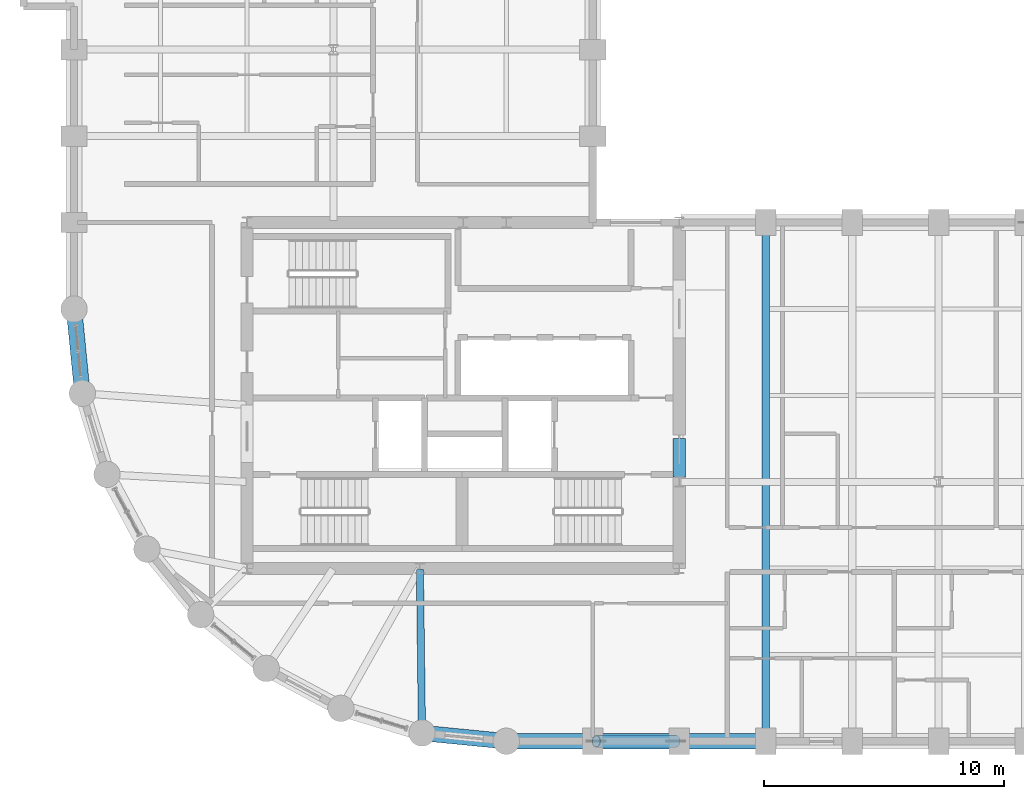
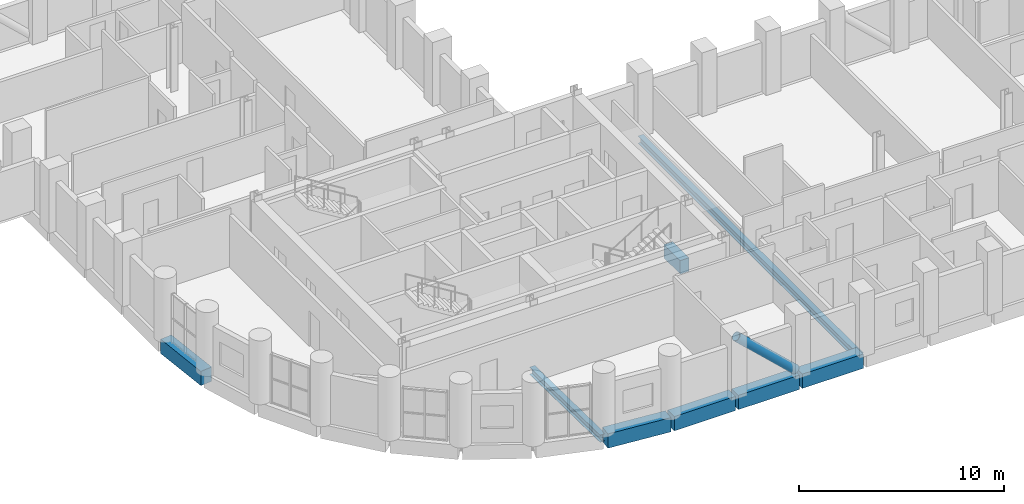
# One storey, part 4 of 13: 8 beams, 1 member.
"""IFC4 building model written with IfcOpenShell, lengths in metres."""

from ifc_helpers import new_model, si_unit, direction, frame, origin, origin_2d, place, context, subcontext, project, spatial, rectangle, hollow_circle, i_section, extrude, material, material_profile, profile_set, type_object, element, save


model = new_model("IFC4")

# Units and contexts
model_context = context("Model", 3, precision=1e-05, world=origin(), true_north=direction((0.0, 1.0)))
body_context = subcontext(model_context, "Body", "Model", "MODEL_VIEW")
ifc_project = project(units=[si_unit("LENGTHUNIT", "METRE"), si_unit("AREAUNIT", "SQUARE_METRE"), si_unit("VOLUMEUNIT", "CUBIC_METRE"), si_unit("PLANEANGLEUNIT", "RADIAN"), si_unit("MASSUNIT", "GRAM", prefix="KILO")], contexts=[model_context])

# Site, building, storey
site_placement = place(None, origin())
site = spatial("IfcSite", under=ifc_project, at=site_placement, CompositionType="ELEMENT")
building_placement = place(site_placement, origin())
building = spatial("IfcBuilding", under=site, at=building_placement, Name="Solnavia Interchange Tower", CompositionType="ELEMENT")
storey_placement = place(building_placement, frame((0.0, 0.0, 123.800048828125)))
storey = spatial("IfcBuildingStorey", under=building, at=storey_placement, Name="L30", CompositionType="ELEMENT", Elevation=123.800048828125)

# Beams
ifc_material_1 = material(Name="Concrete C50/60", Category="concrete")
ifc_material_profile_1 = material_profile(ifc_material_1, rectangle(XDim=0.5, YDim=0.800048828125, at=origin_2d()), Name="RC 500x800")
ifc_profile_set_1 = profile_set([ifc_material_profile_1], Name="Concrete C50/60")
beam_type_1 = type_object("IfcBeamType", Name="Beam-Coupling-RC500x800", PredefinedType="LINTEL", material=ifc_profile_set_1)
beam_1_placement = place(storey_placement, frame((32.39990234375, 14.60009765625, -0.400146484375), z_axis=(0.0, 1.0, 0.0), x_axis=(-1.0, 0.0, 0.0)))
element("IfcBeam", 1, at=beam_1_placement, inside=storey, type_object=beam_type_1, Name="CPB-L30-E1 Core coupling lintel beam", PredefinedType="LINTEL", context=body_context, shape_type="SweptSolid", body=[
    extrude(rectangle(XDim=0.5, YDim=0.800048828125, at=origin_2d()), origin(), (0.0, 0.0, 1.0), 1.599853515625),
])
ifc_material_2 = material(Name="Steel S460", Category="steel")
ifc_material_profile_2 = material_profile(ifc_material_2, i_section(OverallWidth=0.300048828125, OverallDepth=0.449951171875, WebThickness=0.013916015625, FlangeThickness=0.02587890625, FilletRadius=0.027099609375, at=origin_2d()), Name="HEB 450")
ifc_profile_set_2 = profile_set([ifc_material_profile_2], Name="Steel S460")
beam_type_2 = type_object("IfcBeamType", Name="Beam-Girder-HEB450", PredefinedType="BEAM", material=ifc_profile_set_2)
beam_2_placement = place(storey_placement, frame((36.0, 3.679931640625, -0.47509765625), z_axis=(0.0, 1.0, 0.0), x_axis=(-1.0, 0.0, 0.0)))
element("IfcBeam", 2, at=beam_2_placement, inside=storey, type_object=beam_type_2, Name="GRD-L30-EW04 East wing primary floor girder", PredefinedType="BEAM", context=body_context, shape_type="SweptSolid", body=[
    extrude(i_section(OverallWidth=0.300048828125, OverallDepth=0.449951171875, WebThickness=0.013916015625, FlangeThickness=0.02587890625, FilletRadius=0.027099609375, at=origin_2d()), origin(), (0.0, 0.0, 1.0), 21.440185546875),
])
ifc_material_3 = material(Name="Steel S355", Category="steel")
ifc_material_profile_3 = material_profile(ifc_material_3, i_section(OverallWidth=0.300048828125, OverallDepth=0.43994140625, WebThickness=0.011474609375, FlangeThickness=0.02099609375, FilletRadius=0.027099609375, at=origin_2d()), Name="HEA 450")
ifc_profile_set_3 = profile_set([ifc_material_profile_3], Name="Steel S355")
beam_type_3 = type_object("IfcBeamType", Name="Beam-Primary-HEA450", PredefinedType="BEAM", material=ifc_profile_set_3)
beam_3_placement = place(storey_placement, frame((21.68701171875, 4.02587890625, -0.469970703125), z_axis=(-0.01283293513, 0.999917654498, 0.0), x_axis=(-0.999917654498, -0.01283293513, 0.0)))
element("IfcBeam", 3, at=beam_3_placement, inside=storey, type_object=beam_type_3, Name="GRD-L30-DR26 Drum radial floor girder", PredefinedType="BEAM", context=body_context, shape_type="SweptSolid", body=[
    extrude(i_section(OverallWidth=0.300048828125, OverallDepth=0.43994140625, WebThickness=0.011474609375, FlangeThickness=0.02099609375, FilletRadius=0.027099609375, at=origin_2d()), origin(), (0.0, 0.0, 1.0), 6.734619140625),
])
ifc_material_profile_4 = material_profile(ifc_material_1, rectangle(XDim=0.64990234375, YDim=0.85009765625, at=origin_2d()), Name="RC 650x850")
ifc_profile_set_4 = profile_set([ifc_material_profile_4], Name="Concrete C50/60")
beam_type_4 = type_object("IfcBeamType", Name="Beam-Spandrel-RC650x850", PredefinedType="SPANDREL", material=ifc_profile_set_4)
beam_4_placement = place(storey_placement, frame((7.207763671875, 21.5205078125, -0.425048828125), z_axis=(0.098040038117, -0.995182471171, 0.0), x_axis=(0.995182471171, 0.098040038117, 0.0)))
element("IfcBeam", 4, at=beam_4_placement, inside=storey, type_object=beam_type_4, Name="SPB-L30-01 Framed-tube perimeter spandrel beam", PredefinedType="SPANDREL", context=body_context, shape_type="SweptSolid", body=[
    extrude(rectangle(XDim=0.64990234375, YDim=0.85009765625, at=origin_2d()), origin(), (0.0, 0.0, 1.0), 3.369140625),
])
beam_5_placement = place(storey_placement, frame((21.767578125, 3.938232421875, -0.425048828125), z_axis=(0.995181774609, -0.098047108501, 0.0), x_axis=(0.098047108501, 0.995181774609, 0.0)))
element("IfcBeam", 5, at=beam_5_placement, inside=storey, type_object=beam_type_4, Name="SPB-L30-08 Framed-tube perimeter spandrel beam", PredefinedType="SPANDREL", context=body_context, shape_type="SweptSolid", body=[
    extrude(rectangle(XDim=0.64990234375, YDim=0.85009765625, at=origin_2d()), origin(), (0.0, 0.0, 1.0), 3.368896484375),
])
beam_6_placement = place(storey_placement, frame((25.280029296875, 3.60009765625, -0.425048828125), z_axis=(1.0, 0.0, 0.0), x_axis=(0.0, 1.0, 0.0)))
element("IfcBeam", 6, at=beam_6_placement, inside=storey, type_object=beam_type_4, Name="SPB-L30-09 Framed-tube perimeter spandrel beam", PredefinedType="SPANDREL", context=body_context, shape_type="SweptSolid", body=[
    extrude(rectangle(XDim=0.64990234375, YDim=0.85009765625, at=origin_2d()), origin(), (0.0, 0.0, 1.0), 3.43994140625),
])
beam_7_placement = place(storey_placement, frame((28.8798828125, 3.60009765625, -0.425048828125), z_axis=(1.0, 0.0, 0.0), x_axis=(0.0, 1.0, 0.0)))
element("IfcBeam", 7, at=beam_7_placement, inside=storey, type_object=beam_type_4, Name="SPB-L30-10 Framed-tube perimeter spandrel beam", PredefinedType="SPANDREL", context=body_context, shape_type="SweptSolid", body=[
    extrude(rectangle(XDim=0.64990234375, YDim=0.85009765625, at=origin_2d()), origin(), (0.0, 0.0, 1.0), 3.440185546875),
])
beam_8_placement = place(storey_placement, frame((32.47998046875, 3.60009765625, -0.425048828125), z_axis=(1.0, 0.0, 0.0), x_axis=(0.0, 1.0, 0.0)))
element("IfcBeam", 8, at=beam_8_placement, inside=storey, type_object=beam_type_4, Name="SPB-L30-11 Framed-tube perimeter spandrel beam", PredefinedType="SPANDREL", context=body_context, shape_type="SweptSolid", body=[
    extrude(rectangle(XDim=0.64990234375, YDim=0.85009765625, at=origin_2d()), origin(), (0.0, 0.0, 1.0), 3.43994140625),
])

# Member
ifc_material_profile_5 = material_profile(ifc_material_2, hollow_circle(Radius=0.25390625, WallThickness=0.02490234375, at=origin_2d()), Name="CHS 508x25")
ifc_profile_set_5 = profile_set([ifc_material_profile_5], Name="Steel S460")
member_type = type_object("IfcMemberType", Name="Brace-Perim-CHS508", PredefinedType="BRACE", material=ifc_profile_set_5)
member_placement = place(storey_placement, frame((32.260009765625, 3.60009765625, 0.179931640625), z_axis=(-0.728709492854, 0.0, 0.68482295159), x_axis=(0.0, -1.0, 0.0)))
element("IfcMember", 9, at=member_placement, inside=storey, type_object=member_type, Name="BRC-L30-01 Perimeter tube diagonal brace", PredefinedType="BRACE", context=body_context, shape_type="SweptSolid", body=[
    extrude(hollow_circle(Radius=0.25390625, WallThickness=0.02490234375, at=origin_2d()), origin(), (0.0, 0.0, 1.0), 4.55615234375),
])

save(model, "model.ifc")
